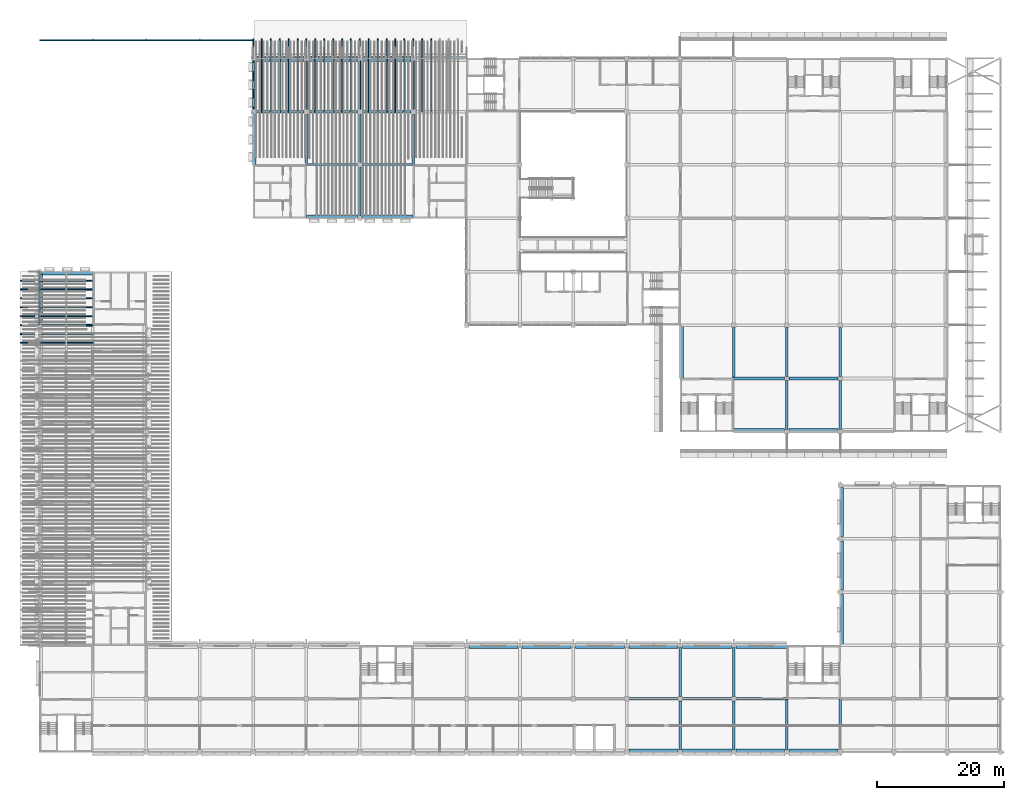
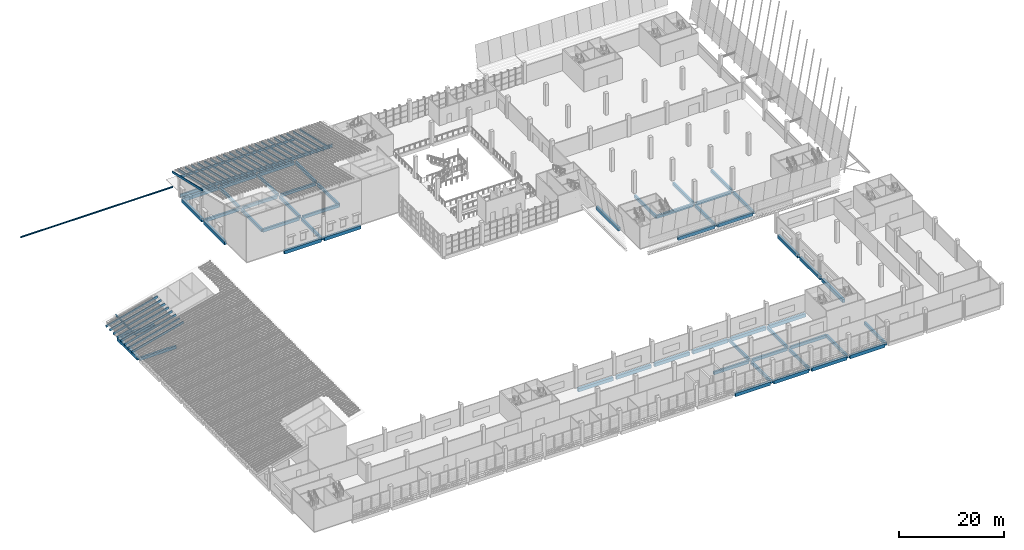
# One storey, part 4 of 82: 59 beams, 33 members.
"""IFC4 building model written with IfcOpenShell, lengths in metres."""

from ifc_helpers import new_model, si_unit, direction, frame, origin, origin_2d, place, context, subcontext, project, spatial, rectangle, i_section, extrude, material, material_profile, profile_set, type_object, element, save


model = new_model("IFC4")

# Units and contexts
model_context = context("Model", 3, precision=1e-05, world=origin(), true_north=direction((0.0, 1.0)))
body_context = subcontext(model_context, "Body", "Model", "MODEL_VIEW")
ifc_project = project(units=[si_unit("LENGTHUNIT", "METRE"), si_unit("AREAUNIT", "SQUARE_METRE"), si_unit("VOLUMEUNIT", "CUBIC_METRE"), si_unit("PLANEANGLEUNIT", "RADIAN"), si_unit("MASSUNIT", "GRAM", prefix="KILO")], contexts=[model_context])

# Site, building, storey
site_placement = place(None, origin())
site = spatial("IfcSite", under=ifc_project, at=site_placement, CompositionType="ELEMENT")
building_placement = place(site_placement, origin())
building = spatial("IfcBuilding", under=site, at=building_placement, Name="Almond Square Museum", CompositionType="ELEMENT")
storey_placement = place(building_placement, frame((0.0, 0.0, 20.0)))
storey = spatial("IfcBuildingStorey", under=building, at=storey_placement, Name="L03", CompositionType="ELEMENT", Elevation=20.0)

# Members
ifc_material_1 = material(Name="Glulam GL28h", Category="wood")
ifc_material_profile_1 = material_profile(ifc_material_1, rectangle(XDim=0.159912109375, YDim=0.5, at=origin_2d()))
ifc_profile_set_1 = profile_set([ifc_material_profile_1], Name="Glulam GL28h")
member_type_1 = type_object("IfcMemberType", Name="Glulam rafter GL28h 160x500", PredefinedType="RAFTER", material=ifc_profile_set_1)
for number, where, z_axis, x_axis, name in (
    (1, (39.60009765625, 100.800048828125, 6.64013671875), (0.0, 0.972804426364, -0.231628038127), (-1.0, 0.0, 0.0), "V4N rafter 3.1"),
    (2, (41.0, 100.800048828125, 6.64013671875), (0.0, 0.972804426364, -0.231628038127), (-1.0, 0.0, 0.0), "V4N rafter 3.2"),
    (3, (42.39990234375, 100.800048828125, 6.64013671875), (0.0, 0.972804426364, -0.231628038127), (-1.0, 0.0, 0.0), "V4N rafter 3.3"),
    (4, (43.800048828125, 100.800048828125, 6.64013671875), (0.0, 0.972804426364, -0.231628038127), (-1.0, 0.0, 0.0), "V4N rafter 3.4"),
    (5, (45.199951171875, 100.800048828125, 6.64013671875), (0.0, 0.972804426364, -0.231628038127), (-1.0, 0.0, 0.0), "V4N rafter 3.5"),
    (6, (46.60009765625, 100.800048828125, 6.64013671875), (0.0, 0.972804426364, -0.231628038127), (-1.0, 0.0, 0.0), "V4N rafter 3.6"),
    (7, (48.0, 100.800048828125, 6.64013671875), (0.0, 0.972804426364, -0.231628038127), (-1.0, 0.0, 0.0), "V4N rafter 3.7"),
    (8, (49.39990234375, 100.800048828125, 6.64013671875), (0.0, 0.972804426364, -0.231628038127), (-1.0, 0.0, 0.0), "V4N rafter 3.8"),
    (9, (50.800048828125, 100.800048828125, 6.64013671875), (0.0, 0.972804426364, -0.231628038127), (-1.0, 0.0, 0.0), "V4N rafter 3.9"),
    (10, (52.199951171875, 100.800048828125, 6.64013671875), (0.0, 0.972804426364, -0.231628038127), (-1.0, 0.0, 0.0), "V4N rafter 3.10"),
    (11, (53.60009765625, 100.800048828125, 6.64013671875), (0.0, 0.972804426364, -0.231628038127), (-1.0, 0.0, 0.0), "V4N rafter 3.11"),
    (12, (55.0, 100.800048828125, 6.64013671875), (0.0, 0.972804426364, -0.231628038127), (-1.0, 0.0, 0.0), "V4N rafter 3.12"),
    (13, (56.39990234375, 100.800048828125, 6.64013671875), (0.0, 0.972804426364, -0.231628038127), (-1.0, 0.0, 0.0), "V4N rafter 3.13"),
    (14, (57.800048828125, 100.800048828125, 6.64013671875), (0.0, 0.972804426364, -0.231628038127), (-1.0, 0.0, 0.0), "V4N rafter 3.14"),
    (15, (59.199951171875, 100.800048828125, 6.64013671875), (0.0, 0.972804426364, -0.231628038127), (-1.0, 0.0, 0.0), "V4N rafter 3.15"),
    (16, (60.60009765625, 100.800048828125, 6.64013671875), (0.0, 0.972804426364, -0.231628038127), (-1.0, 0.0, 0.0), "V4N rafter 3.16"),
    (17, (62.0, 100.800048828125, 6.64013671875), (0.0, 0.972804426364, -0.231628038127), (-1.0, 0.0, 0.0), "V4N rafter 3.17"),
    (18, (63.39990234375, 100.800048828125, 6.64013671875), (0.0, 0.972804426364, -0.231628038127), (-1.0, 0.0, 0.0), "V4N rafter 3.18"),
    (19, (64.800048828125, 100.800048828125, 6.64013671875), (0.0, 0.972804426364, -0.231628038127), (-1.0, 0.0, 0.0), "V4N rafter 3.19"),
    (20, (66.199951171875, 100.800048828125, 6.64013671875), (0.0, 0.972804426364, -0.231628038127), (-1.0, 0.0, 0.0), "V4N rafter 3.20"),
    (21, (67.60009765625, 100.800048828125, 6.64013671875), (0.0, 0.972804426364, -0.231628038127), (-1.0, 0.0, 0.0), "V4N rafter 3.21"),
):
    element("IfcMember", number, at=place(storey_placement, frame(where, z_axis=z_axis, x_axis=x_axis)), inside=storey, type_object=member_type_1, Name=name, PredefinedType="RAFTER", context=body_context, shape_type="SweptSolid", body=[
        extrude(rectangle(XDim=0.159912109375, YDim=0.5, at=origin_2d()), origin(), (0.0, 0.0, 1.0), 11.718505859375),
    ])
for number, where, z_axis, x_axis, name in (
    (22, (3.0, 64.39990234375, 3.8525390625), (0.967374157701, 0.0, 0.253352006136), (0.0, 1.0, 0.0), "V4W rafter 1.35"),
    (23, (3.0, 65.800048828125, 3.8525390625), (0.967374157701, 0.0, 0.253352006136), (0.0, 1.0, 0.0), "V4W rafter 1.36"),
    (24, (3.0, 67.199951171875, 3.8525390625), (0.967374157701, 0.0, 0.253352006136), (0.0, 1.0, 0.0), "V4W rafter 1.37"),
    (25, (3.0, 68.60009765625, 3.8525390625), (0.967374157701, 0.0, 0.253352006136), (0.0, 1.0, 0.0), "V4W rafter 1.38"),
    (26, (3.0, 70.0, 3.8525390625), (0.967374157701, 0.0, 0.253352006136), (0.0, 1.0, 0.0), "V4W rafter 1.39"),
    (27, (3.0, 71.39990234375, 3.8525390625), (0.967374157701, 0.0, 0.253352006136), (0.0, 1.0, 0.0), "V4W rafter 1.40"),
    (28, (3.0, 72.800048828125, 3.8525390625), (0.967374157701, 0.0, 0.253352006136), (0.0, 1.0, 0.0), "V4W rafter 1.41"),
    (29, (3.0, 74.199951171875, 3.8525390625), (0.967374157701, 0.0, 0.253352006136), (0.0, 1.0, 0.0), "V4W rafter 1.42"),
):
    element("IfcMember", number, at=place(storey_placement, frame(where, z_axis=z_axis, x_axis=x_axis)), inside=storey, type_object=member_type_1, Name=name, PredefinedType="RAFTER", context=body_context, shape_type="SweptSolid", body=[
        extrude(rectangle(XDim=0.159912109375, YDim=0.5, at=origin_2d()), origin(), (0.0, 0.0, 1.0), 11.784423828125),
    ])

# Beams
ifc_material_2 = material(Name="Concrete C40/50", Category="concrete")
ifc_material_profile_2 = material_profile(ifc_material_2, rectangle(XDim=0.39990234375, YDim=0.699951171875, at=origin_2d()))
ifc_profile_set_2 = profile_set([ifc_material_profile_2], Name="Concrete C40/50")
beam_type_1 = type_object("IfcBeamType", Name="RC beam 400 x 700 C40/50", PredefinedType="BEAM", material=ifc_profile_set_2)
beam_1_placement = place(storey_placement, frame((98.75, 8.39990234375, -0.60009765625), z_axis=(1.0, 0.0, 0.0), x_axis=(0.0, 1.0, 0.0)))
element("IfcBeam", 30, at=beam_1_placement, inside=storey, type_object=beam_type_1, Name="Beam B 13-14 L03", PredefinedType="BEAM", context=body_context, shape_type="SweptSolid", body=[
    extrude(rectangle(XDim=0.39990234375, YDim=0.699951171875, at=origin_2d()), origin(), (0.0, 0.0, 1.0), 7.699951171875),
])
beam_2_placement = place(storey_placement, frame((107.14990234375, 8.39990234375, -0.60009765625), z_axis=(1.0, 0.0, 0.0), x_axis=(0.0, 1.0, 0.0)))
element("IfcBeam", 31, at=beam_2_placement, inside=storey, type_object=beam_type_1, Name="Beam B 14-15 L03", PredefinedType="BEAM", context=body_context, shape_type="SweptSolid", body=[
    extrude(rectangle(XDim=0.39990234375, YDim=0.699951171875, at=origin_2d()), origin(), (0.0, 0.0, 1.0), 7.7001953125),
])
for number, where, z_axis, x_axis, name in (
    (32, (115.550048828125, 8.39990234375, -0.60009765625), (1.0, 0.0, 0.0), (0.0, 1.0, 0.0), "Beam B 15-16 L03"),
    (33, (115.199951171875, 58.800048828125, -0.60009765625), (1.0, 0.0, 0.0), (0.0, 1.0, 0.0), "Beam H 15-16 L03"),
):
    element("IfcBeam", number, at=place(storey_placement, frame(where, z_axis=z_axis, x_axis=x_axis)), inside=storey, type_object=beam_type_1, Name=name, PredefinedType="BEAM", context=body_context, shape_type="SweptSolid", body=[
        extrude(rectangle(XDim=0.39990234375, YDim=0.699951171875, at=origin_2d()), origin(), (0.0, 0.0, 1.0), 8.050048828125),
    ])
beam_3_placement = place(storey_placement, frame((123.949951171875, 58.800048828125, -0.60009765625), z_axis=(1.0, 0.0, 0.0), x_axis=(0.0, 1.0, 0.0)))
element("IfcBeam", 34, at=beam_3_placement, inside=storey, type_object=beam_type_1, Name="Beam H 16-17 L03", PredefinedType="BEAM", context=body_context, shape_type="SweptSolid", body=[
    extrude(rectangle(XDim=0.39990234375, YDim=0.699951171875, at=origin_2d()), origin(), (0.0, 0.0, 1.0), 7.699951171875),
])
beam_4_placement = place(storey_placement, frame((6.35009765625, 67.199951171875, -0.60009765625), z_axis=(1.0, 0.0, 0.0), x_axis=(0.0, 1.0, 0.0)))
element("IfcBeam", 35, at=beam_4_placement, inside=storey, type_object=beam_type_1, Name="Beam I 2-3 L03", PredefinedType="BEAM", context=body_context, shape_type="SweptSolid", body=[
    extrude(rectangle(XDim=0.39990234375, YDim=0.699951171875, at=origin_2d()), origin(), (0.0, 0.0, 1.0), 8.0498046875),
])
for number, where, z_axis, x_axis, name in (
    (36, (48.0, 92.39990234375, -0.60009765625), (1.0, 0.0, 0.0), (0.0, 1.0, 0.0), "Beam L 7-8 L03"),
    (37, (56.75, 92.39990234375, -0.60009765625), (1.0, 0.0, 0.0), (0.0, 1.0, 0.0), "Beam L 8-9 L03"),
):
    element("IfcBeam", number, at=place(storey_placement, frame(where, z_axis=z_axis, x_axis=x_axis)), inside=storey, type_object=beam_type_1, Name=name, PredefinedType="BEAM", context=body_context, shape_type="SweptSolid", body=[
        extrude(rectangle(XDim=0.39990234375, YDim=0.699951171875, at=origin_2d()), origin(), (0.0, 0.0, 1.0), 8.050048828125),
    ])
for number, where, z_axis, x_axis, name in (
    (38, (39.949951171875, 100.800048828125, -0.60009765625), (1.0, 0.0, 0.0), (0.0, 1.0, 0.0), "Beam M 6-7 L03"),
    (39, (48.35009765625, 100.800048828125, -0.60009765625), (1.0, 0.0, 0.0), (0.0, 1.0, 0.0), "Beam M 7-8 L03"),
    (40, (56.75, 100.800048828125, -0.60009765625), (1.0, 0.0, 0.0), (0.0, 1.0, 0.0), "Beam M 8-9 L03"),
):
    element("IfcBeam", number, at=place(storey_placement, frame(where, z_axis=z_axis, x_axis=x_axis)), inside=storey, type_object=beam_type_1, Name=name, PredefinedType="BEAM", context=body_context, shape_type="SweptSolid", body=[
        extrude(rectangle(XDim=0.39990234375, YDim=0.699951171875, at=origin_2d()), origin(), (0.0, 0.0, 1.0), 7.699951171875),
    ])
beam_5_placement = place(storey_placement, frame((48.0, 92.39990234375, -0.60009765625), z_axis=(0.0, 1.0, 0.0), x_axis=(-1.0, 0.0, 0.0)))
element("IfcBeam", 41, at=beam_5_placement, inside=storey, type_object=beam_type_1, Name="Beam 7 L-M L03", PredefinedType="BEAM", context=body_context, shape_type="SweptSolid", body=[
    extrude(rectangle(XDim=0.39990234375, YDim=0.699951171875, at=origin_2d()), origin(), (0.0, 0.0, 1.0), 8.050048828125),
])
beam_6_placement = place(storey_placement, frame((48.0, 101.14990234375, -0.60009765625), z_axis=(0.0, 1.0, 0.0), x_axis=(-1.0, 0.0, 0.0)))
element("IfcBeam", 42, at=beam_6_placement, inside=storey, type_object=beam_type_1, Name="Beam 7 M-N L03", PredefinedType="BEAM", context=body_context, shape_type="SweptSolid", body=[
    extrude(rectangle(XDim=0.39990234375, YDim=0.699951171875, at=origin_2d()), origin(), (0.0, 0.0, 1.0), 7.7001953125),
])
for number, where, z_axis, x_axis, name in (
    (43, (56.39990234375, 84.35009765625, -0.60009765625), (0.0, 1.0, 0.0), (-1.0, 0.0, 0.0), "Beam 8 K-L L03"),
    (44, (56.39990234375, 92.75, -0.60009765625), (0.0, 1.0, 0.0), (-1.0, 0.0, 0.0), "Beam 8 L-M L03"),
):
    element("IfcBeam", number, at=place(storey_placement, frame(where, z_axis=z_axis, x_axis=x_axis)), inside=storey, type_object=beam_type_1, Name=name, PredefinedType="BEAM", context=body_context, shape_type="SweptSolid", body=[
        extrude(rectangle(XDim=0.39990234375, YDim=0.699951171875, at=origin_2d()), origin(), (0.0, 0.0, 1.0), 7.699951171875),
    ])
beam_7_placement = place(storey_placement, frame((56.39990234375, 101.14990234375, -0.60009765625), z_axis=(0.0, 1.0, 0.0), x_axis=(-1.0, 0.0, 0.0)))
element("IfcBeam", 45, at=beam_7_placement, inside=storey, type_object=beam_type_1, Name="Beam 8 M-N L03", PredefinedType="BEAM", context=body_context, shape_type="SweptSolid", body=[
    extrude(rectangle(XDim=0.39990234375, YDim=0.699951171875, at=origin_2d()), origin(), (0.0, 0.0, 1.0), 7.7001953125),
])
beam_8_placement = place(storey_placement, frame((64.800048828125, 92.39990234375, -0.60009765625), z_axis=(0.0, 1.0, 0.0), x_axis=(-1.0, 0.0, 0.0)))
element("IfcBeam", 46, at=beam_8_placement, inside=storey, type_object=beam_type_1, Name="Beam 9 L-M L03", PredefinedType="BEAM", context=body_context, shape_type="SweptSolid", body=[
    extrude(rectangle(XDim=0.39990234375, YDim=0.699951171875, at=origin_2d()), origin(), (0.0, 0.0, 1.0), 8.050048828125),
])
beam_9_placement = place(storey_placement, frame((64.800048828125, 101.14990234375, -0.60009765625), z_axis=(0.0, 1.0, 0.0), x_axis=(-1.0, 0.0, 0.0)))
element("IfcBeam", 47, at=beam_9_placement, inside=storey, type_object=beam_type_1, Name="Beam 9 M-N L03", PredefinedType="BEAM", context=body_context, shape_type="SweptSolid", body=[
    extrude(rectangle(XDim=0.39990234375, YDim=0.699951171875, at=origin_2d()), origin(), (0.0, 0.0, 1.0), 7.7001953125),
])
for number, where, z_axis, x_axis, name in (
    (48, (106.800048828125, 0.35009765625, -0.60009765625), (0.0, 1.0, 0.0), (-1.0, 0.0, 0.0), "Beam 14 A-B L03"),
    (49, (106.800048828125, 8.75, -0.60009765625), (0.0, 1.0, 0.0), (-1.0, 0.0, 0.0), "Beam 14 B-C L03"),
    (50, (115.199951171875, 0.35009765625, -0.60009765625), (0.0, 1.0, 0.0), (-1.0, 0.0, 0.0), "Beam 15 A-B L03"),
    (51, (115.199951171875, 8.75, -0.60009765625), (0.0, 1.0, 0.0), (-1.0, 0.0, 0.0), "Beam 15 B-C L03"),
):
    element("IfcBeam", number, at=place(storey_placement, frame(where, z_axis=z_axis, x_axis=x_axis)), inside=storey, type_object=beam_type_1, Name=name, PredefinedType="BEAM", context=body_context, shape_type="SweptSolid", body=[
        extrude(rectangle(XDim=0.39990234375, YDim=0.699951171875, at=origin_2d()), origin(), (0.0, 0.0, 1.0), 7.699951171875),
    ])
beam_10_placement = place(storey_placement, frame((115.199951171875, 58.800048828125, -0.60009765625), z_axis=(0.0, 1.0, 0.0), x_axis=(-1.0, 0.0, 0.0)))
element("IfcBeam", 52, at=beam_10_placement, inside=storey, type_object=beam_type_1, Name="Beam 15 H-I L03", PredefinedType="BEAM", context=body_context, shape_type="SweptSolid", body=[
    extrude(rectangle(XDim=0.39990234375, YDim=0.699951171875, at=origin_2d()), origin(), (0.0, 0.0, 1.0), 8.050048828125),
])
beam_11_placement = place(storey_placement, frame((123.60009765625, 0.35009765625, -0.60009765625), z_axis=(0.0, 1.0, 0.0), x_axis=(-1.0, 0.0, 0.0)))
element("IfcBeam", 53, at=beam_11_placement, inside=storey, type_object=beam_type_1, Name="Beam 16 A-B L03", PredefinedType="BEAM", context=body_context, shape_type="SweptSolid", body=[
    extrude(rectangle(XDim=0.39990234375, YDim=0.699951171875, at=origin_2d()), origin(), (0.0, 0.0, 1.0), 8.0498046875),
])
beam_12_placement = place(storey_placement, frame((123.60009765625, 50.75, -0.60009765625), z_axis=(0.0, 1.0, 0.0), x_axis=(-1.0, 0.0, 0.0)))
element("IfcBeam", 54, at=beam_12_placement, inside=storey, type_object=beam_type_1, Name="Beam 16 G-H L03", PredefinedType="BEAM", context=body_context, shape_type="SweptSolid", body=[
    extrude(rectangle(XDim=0.39990234375, YDim=0.699951171875, at=origin_2d()), origin(), (0.0, 0.0, 1.0), 7.699951171875),
])
beam_13_placement = place(storey_placement, frame((123.60009765625, 59.14990234375, -0.60009765625), z_axis=(0.0, 1.0, 0.0), x_axis=(-1.0, 0.0, 0.0)))
element("IfcBeam", 55, at=beam_13_placement, inside=storey, type_object=beam_type_1, Name="Beam 16 H-I L03", PredefinedType="BEAM", context=body_context, shape_type="SweptSolid", body=[
    extrude(rectangle(XDim=0.39990234375, YDim=0.699951171875, at=origin_2d()), origin(), (0.0, 0.0, 1.0), 7.7001953125),
])
beam_14_placement = place(storey_placement, frame((132.0, 0.35009765625, -0.60009765625), z_axis=(0.0, 1.0, 0.0), x_axis=(-1.0, 0.0, 0.0)))
element("IfcBeam", 56, at=beam_14_placement, inside=storey, type_object=beam_type_1, Name="Beam 17 A-B L03", PredefinedType="BEAM", context=body_context, shape_type="SweptSolid", body=[
    extrude(rectangle(XDim=0.39990234375, YDim=0.699951171875, at=origin_2d()), origin(), (0.0, 0.0, 1.0), 8.0498046875),
])
beam_15_placement = place(storey_placement, frame((132.0, 50.75, -0.60009765625), z_axis=(0.0, 1.0, 0.0), x_axis=(-1.0, 0.0, 0.0)))
element("IfcBeam", 57, at=beam_15_placement, inside=storey, type_object=beam_type_1, Name="Beam 17 G-H L03", PredefinedType="BEAM", context=body_context, shape_type="SweptSolid", body=[
    extrude(rectangle(XDim=0.39990234375, YDim=0.699951171875, at=origin_2d()), origin(), (0.0, 0.0, 1.0), 7.699951171875),
])
beam_16_placement = place(storey_placement, frame((132.0, 59.14990234375, -0.60009765625), z_axis=(0.0, 1.0, 0.0), x_axis=(-1.0, 0.0, 0.0)))
element("IfcBeam", 58, at=beam_16_placement, inside=storey, type_object=beam_type_1, Name="Beam 17 H-I L03", PredefinedType="BEAM", context=body_context, shape_type="SweptSolid", body=[
    extrude(rectangle(XDim=0.39990234375, YDim=0.699951171875, at=origin_2d()), origin(), (0.0, 0.0, 1.0), 7.7001953125),
])
ifc_material_3 = material(Name="Concrete C40/50", Category="concrete")
ifc_material_profile_3 = material_profile(ifc_material_3, rectangle(XDim=0.5, YDim=0.800048828125, at=origin_2d()))
ifc_profile_set_3 = profile_set([ifc_material_profile_3], Name="Concrete C40/50")
beam_type_2 = type_object("IfcBeamType", Name="RC edge beam 500 x 800 C40/50", PredefinedType="BEAM", material=ifc_profile_set_3)
beam_17_placement = place(storey_placement, frame((98.75, 0.25, -0.64990234375), z_axis=(1.0, 0.0, 0.0), x_axis=(0.0, 1.0, 0.0)))
element("IfcBeam", 59, at=beam_17_placement, inside=storey, type_object=beam_type_2, Name="Edge beam A 13-14 L03", PredefinedType="BEAM", context=body_context, shape_type="SweptSolid", body=[
    extrude(rectangle(XDim=0.5, YDim=0.800048828125, at=origin_2d()), origin(), (0.0, 0.0, 1.0), 7.699951171875),
])
beam_18_placement = place(storey_placement, frame((107.14990234375, 0.25, -0.64990234375), z_axis=(1.0, 0.0, 0.0), x_axis=(0.0, 1.0, 0.0)))
element("IfcBeam", 60, at=beam_18_placement, inside=storey, type_object=beam_type_2, Name="Edge beam A 14-15 L03", PredefinedType="BEAM", context=body_context, shape_type="SweptSolid", body=[
    extrude(rectangle(XDim=0.5, YDim=0.800048828125, at=origin_2d()), origin(), (0.0, 0.0, 1.0), 7.7001953125),
])
for number, where, z_axis, x_axis, name in (
    (61, (115.550048828125, 0.25, -0.64990234375), (1.0, 0.0, 0.0), (0.0, 1.0, 0.0), "Edge beam A 15-16 L03"),
    (62, (123.949951171875, 0.25, -0.64990234375), (1.0, 0.0, 0.0), (0.0, 1.0, 0.0), "Edge beam A 16-17 L03"),
    (63, (73.550048828125, 16.550048828125, -0.64990234375), (1.0, 0.0, 0.0), (0.0, 1.0, 0.0), "Edge beam C 10-11 L03"),
    (64, (81.949951171875, 16.550048828125, -0.64990234375), (1.0, 0.0, 0.0), (0.0, 1.0, 0.0), "Edge beam C 11-12 L03"),
    (65, (90.35009765625, 16.550048828125, -0.64990234375), (1.0, 0.0, 0.0), (0.0, 1.0, 0.0), "Edge beam C 12-13 L03"),
    (66, (98.75, 16.550048828125, -0.64990234375), (1.0, 0.0, 0.0), (0.0, 1.0, 0.0), "Edge beam C 13-14 L03"),
):
    element("IfcBeam", number, at=place(storey_placement, frame(where, z_axis=z_axis, x_axis=x_axis)), inside=storey, type_object=beam_type_2, Name=name, PredefinedType="BEAM", context=body_context, shape_type="SweptSolid", body=[
        extrude(rectangle(XDim=0.5, YDim=0.800048828125, at=origin_2d()), origin(), (0.0, 0.0, 1.0), 7.699951171875),
    ])
beam_19_placement = place(storey_placement, frame((107.14990234375, 16.550048828125, -0.64990234375), z_axis=(1.0, 0.0, 0.0), x_axis=(0.0, 1.0, 0.0)))
element("IfcBeam", 67, at=beam_19_placement, inside=storey, type_object=beam_type_2, Name="Edge beam C 14-15 L03", PredefinedType="BEAM", context=body_context, shape_type="SweptSolid", body=[
    extrude(rectangle(XDim=0.5, YDim=0.800048828125, at=origin_2d()), origin(), (0.0, 0.0, 1.0), 7.7001953125),
])
for number, where, z_axis, x_axis, name in (
    (68, (115.550048828125, 16.550048828125, -0.64990234375), (1.0, 0.0, 0.0), (0.0, 1.0, 0.0), "Edge beam C 15-16 L03"),
    (69, (115.199951171875, 50.64990234375, -0.64990234375), (1.0, 0.0, 0.0), (0.0, 1.0, 0.0), "Edge beam G 15-16 L03"),
):
    element("IfcBeam", number, at=place(storey_placement, frame(where, z_axis=z_axis, x_axis=x_axis)), inside=storey, type_object=beam_type_2, Name=name, PredefinedType="BEAM", context=body_context, shape_type="SweptSolid", body=[
        extrude(rectangle(XDim=0.5, YDim=0.800048828125, at=origin_2d()), origin(), (0.0, 0.0, 1.0), 8.050048828125),
    ])
beam_20_placement = place(storey_placement, frame((123.949951171875, 50.64990234375, -0.64990234375), z_axis=(1.0, 0.0, 0.0), x_axis=(0.0, 1.0, 0.0)))
element("IfcBeam", 70, at=beam_20_placement, inside=storey, type_object=beam_type_2, Name="Edge beam G 16-17 L03", PredefinedType="BEAM", context=body_context, shape_type="SweptSolid", body=[
    extrude(rectangle(XDim=0.5, YDim=0.800048828125, at=origin_2d()), origin(), (0.0, 0.0, 1.0), 7.699951171875),
])
beam_21_placement = place(storey_placement, frame((6.35009765625, 75.35009765625, -0.64990234375), z_axis=(1.0, 0.0, 0.0), x_axis=(0.0, 1.0, 0.0)))
element("IfcBeam", 71, at=beam_21_placement, inside=storey, type_object=beam_type_2, Name="Edge beam J 2-3 L03", PredefinedType="BEAM", context=body_context, shape_type="SweptSolid", body=[
    extrude(rectangle(XDim=0.5, YDim=0.800048828125, at=origin_2d()), origin(), (0.0, 0.0, 1.0), 8.0498046875),
])
for number, where, z_axis, x_axis, name in (
    (72, (48.0, 84.25, -0.64990234375), (1.0, 0.0, 0.0), (0.0, 1.0, 0.0), "Edge beam K 7-8 L03"),
    (73, (56.75, 84.25, -0.64990234375), (1.0, 0.0, 0.0), (0.0, 1.0, 0.0), "Edge beam K 8-9 L03"),
):
    element("IfcBeam", number, at=place(storey_placement, frame(where, z_axis=z_axis, x_axis=x_axis)), inside=storey, type_object=beam_type_2, Name=name, PredefinedType="BEAM", context=body_context, shape_type="SweptSolid", body=[
        extrude(rectangle(XDim=0.5, YDim=0.800048828125, at=origin_2d()), origin(), (0.0, 0.0, 1.0), 8.050048828125),
    ])
for number, where, z_axis, x_axis, name in (
    (74, (39.949951171875, 108.949951171875, -0.64990234375), (1.0, 0.0, 0.0), (0.0, 1.0, 0.0), "Edge beam N 6-7 L03"),
    (75, (48.35009765625, 108.949951171875, -0.64990234375), (1.0, 0.0, 0.0), (0.0, 1.0, 0.0), "Edge beam N 7-8 L03"),
    (76, (56.75, 108.949951171875, -0.64990234375), (1.0, 0.0, 0.0), (0.0, 1.0, 0.0), "Edge beam N 8-9 L03"),
    (77, (6.25, 67.550048828125, -0.64990234375), (0.0, 1.0, 0.0), (-1.0, 0.0, 0.0), "Edge beam 2 I-J L03"),
):
    element("IfcBeam", number, at=place(storey_placement, frame(where, z_axis=z_axis, x_axis=x_axis)), inside=storey, type_object=beam_type_2, Name=name, PredefinedType="BEAM", context=body_context, shape_type="SweptSolid", body=[
        extrude(rectangle(XDim=0.5, YDim=0.800048828125, at=origin_2d()), origin(), (0.0, 0.0, 1.0), 7.699951171875),
    ])
beam_22_placement = place(storey_placement, frame((39.85009765625, 92.39990234375, -0.64990234375), z_axis=(0.0, 1.0, 0.0), x_axis=(-1.0, 0.0, 0.0)))
element("IfcBeam", 78, at=beam_22_placement, inside=storey, type_object=beam_type_2, Name="Edge beam 6 L-M L03", PredefinedType="BEAM", context=body_context, shape_type="SweptSolid", body=[
    extrude(rectangle(XDim=0.5, YDim=0.800048828125, at=origin_2d()), origin(), (0.0, 0.0, 1.0), 8.050048828125),
])
beam_23_placement = place(storey_placement, frame((39.85009765625, 101.14990234375, -0.64990234375), z_axis=(0.0, 1.0, 0.0), x_axis=(-1.0, 0.0, 0.0)))
element("IfcBeam", 79, at=beam_23_placement, inside=storey, type_object=beam_type_2, Name="Edge beam 6 M-N L03", PredefinedType="BEAM", context=body_context, shape_type="SweptSolid", body=[
    extrude(rectangle(XDim=0.5, YDim=0.800048828125, at=origin_2d()), origin(), (0.0, 0.0, 1.0), 7.7001953125),
])
beam_24_placement = place(storey_placement, frame((107.050048828125, 58.800048828125, -0.64990234375), z_axis=(0.0, 1.0, 0.0), x_axis=(-1.0, 0.0, 0.0)))
element("IfcBeam", 80, at=beam_24_placement, inside=storey, type_object=beam_type_2, Name="Edge beam 14 H-I L03", PredefinedType="BEAM", context=body_context, shape_type="SweptSolid", body=[
    extrude(rectangle(XDim=0.5, YDim=0.800048828125, at=origin_2d()), origin(), (0.0, 0.0, 1.0), 8.39990234375),
])
beam_25_placement = place(storey_placement, frame((132.25, 16.800048828125, -0.64990234375), z_axis=(0.0, 1.0, 0.0), x_axis=(-1.0, 0.0, 0.0)))
element("IfcBeam", 81, at=beam_25_placement, inside=storey, type_object=beam_type_2, Name="Edge beam 17 C-D L03", PredefinedType="BEAM", context=body_context, shape_type="SweptSolid", body=[
    extrude(rectangle(XDim=0.5, YDim=0.800048828125, at=origin_2d()), origin(), (0.0, 0.0, 1.0), 8.050048828125),
])
for number, where, z_axis, x_axis, name in (
    (82, (132.25, 25.550048828125, -0.64990234375), (0.0, 1.0, 0.0), (-1.0, 0.0, 0.0), "Edge beam 17 D-E L03"),
    (83, (132.25, 33.949951171875, -0.64990234375), (0.0, 1.0, 0.0), (-1.0, 0.0, 0.0), "Edge beam 17 E-F L03"),
):
    element("IfcBeam", number, at=place(storey_placement, frame(where, z_axis=z_axis, x_axis=x_axis)), inside=storey, type_object=beam_type_2, Name=name, PredefinedType="BEAM", context=body_context, shape_type="SweptSolid", body=[
        extrude(rectangle(XDim=0.5, YDim=0.800048828125, at=origin_2d()), origin(), (0.0, 0.0, 1.0), 7.699951171875),
    ])
ifc_material_4 = material(Name="Structural steel S355", Category="steel")
ifc_material_profile_4 = material_profile(ifc_material_4, i_section(OverallWidth=0.208984375, OverallDepth=0.532958984375, WebThickness=0.01025390625, FlangeThickness=0.015625, at=origin_2d()))
ifc_profile_set_4 = profile_set([ifc_material_profile_4], Name="Structural steel S355")
beam_type_3 = type_object("IfcBeamType", Name="Roof beam W530x92", PredefinedType="BEAM", material=ifc_profile_set_4)
for number, where, z_axis, x_axis, name in (
    (84, (39.60009765625, 109.199951171875, 4.623291015625), (1.0, 0.0, 0.0), (0.0, 0.972806205605, -0.231620565444), "V4N roof beam 4.1"),
    (85, (48.0, 109.199951171875, 4.623291015625), (1.0, 0.0, 0.0), (0.0, 0.972806205605, -0.231620565444), "V4N roof beam 4.2"),
):
    element("IfcBeam", number, at=place(storey_placement, frame(where, z_axis=z_axis, x_axis=x_axis)), inside=storey, type_object=beam_type_3, Name=name, PredefinedType="BEAM", context=body_context, shape_type="SweptSolid", body=[
        extrude(i_section(OverallWidth=0.208984375, OverallDepth=0.532958984375, WebThickness=0.01025390625, FlangeThickness=0.015625, at=origin_2d()), origin(), (0.0, 0.0, 1.0), 8.39990234375),
    ])
for number, where, z_axis, x_axis, name in (
    (86, (56.39990234375, 109.199951171875, 4.623291015625), (1.0, 0.0, 0.0), (0.0, 0.972806205605, -0.231620565444), "V4N roof beam 4.3"),
    (87, (6.0, 67.199951171875, 4.62109375), (0.0, 1.0, 0.0), (-0.967372193034, 0.0, -0.253359507704), "V4W roof beam 1.7"),
):
    element("IfcBeam", number, at=place(storey_placement, frame(where, z_axis=z_axis, x_axis=x_axis)), inside=storey, type_object=beam_type_3, Name=name, PredefinedType="BEAM", context=body_context, shape_type="SweptSolid", body=[
        extrude(i_section(OverallWidth=0.208984375, OverallDepth=0.532958984375, WebThickness=0.01025390625, FlangeThickness=0.015625, at=origin_2d()), origin(), (0.0, 0.0, 1.0), 8.400146484375),
    ])
ifc_material_5 = material(Name="Structural steel S355", Category="steel")
ifc_material_profile_5 = material_profile(ifc_material_5, i_section(OverallWidth=0.26708984375, OverallDepth=0.75390625, WebThickness=0.01318359375, FlangeThickness=0.01708984375, at=origin_2d()))
ifc_profile_set_5 = profile_set([ifc_material_profile_5], Name="Structural steel S355")
beam_type_4 = type_object("IfcBeamType", Name="Roof beam W760x147", PredefinedType="BEAM", material=ifc_profile_set_5)
beam_26_placement = place(storey_placement, frame((39.60009765625, 109.35009765625, 0.114990234375), z_axis=(1.0, 0.0, 0.0), x_axis=(0.0, 0.998752343433, -0.049937525845)))
element("IfcBeam", 88, at=beam_26_placement, inside=storey, type_object=beam_type_4, Name="Box roof beam S", PredefinedType="BEAM", context=body_context, shape_type="SweptSolid", body=[
    extrude(i_section(OverallWidth=0.26708984375, OverallDepth=0.75390625, WebThickness=0.01318359375, FlangeThickness=0.01708984375, at=origin_2d()), origin(), (0.0, 0.0, 1.0), 33.599853515625),
])

# Members
ifc_material_6 = material(Name="Structural steel S355", Category="steel")
ifc_material_profile_6 = material_profile(ifc_material_6, i_section(OverallWidth=0.1708984375, OverallDepth=0.35595703125, WebThickness=0.00732421875, FlangeThickness=0.01171875, at=origin_2d()))
ifc_profile_set_6 = profile_set([ifc_material_profile_6], Name="Structural steel S355")
member_type_2 = type_object("IfcMemberType", Name="Steel purlin W360x51", PredefinedType="PURLIN", material=ifc_profile_set_6)
member_1_placement = place(storey_placement, frame((6.0, 112.0, 0.62158203125), z_axis=(1.0, 0.0, 0.0), x_axis=(0.0, 0.969459905022, 0.245249857402)))
element("IfcMember", 89, at=member_1_placement, inside=storey, type_object=member_type_2, Name="Auditorium north eave purlin 1", PredefinedType="PURLIN", context=body_context, shape_type="SweptSolid", body=[
    extrude(i_section(OverallWidth=0.1708984375, OverallDepth=0.35595703125, WebThickness=0.00732421875, FlangeThickness=0.01171875, at=origin_2d()), origin(), (0.0, 0.0, 1.0), 8.39990234375),
])
member_2_placement = place(storey_placement, frame((14.39990234375, 112.0, 0.62158203125), z_axis=(1.0, 0.0, 0.0), x_axis=(0.0, 0.969459905022, 0.245249857402)))
element("IfcMember", 90, at=member_2_placement, inside=storey, type_object=member_type_2, Name="Auditorium north eave purlin 2", PredefinedType="PURLIN", context=body_context, shape_type="SweptSolid", body=[
    extrude(i_section(OverallWidth=0.1708984375, OverallDepth=0.35595703125, WebThickness=0.00732421875, FlangeThickness=0.01171875, at=origin_2d()), origin(), (0.0, 0.0, 1.0), 8.400146484375),
])
member_3_placement = place(storey_placement, frame((22.800048828125, 112.0, 0.62158203125), z_axis=(1.0, 0.0, 0.0), x_axis=(0.0, 0.969459905022, 0.245249857402)))
element("IfcMember", 91, at=member_3_placement, inside=storey, type_object=member_type_2, Name="Auditorium north eave purlin 3", PredefinedType="PURLIN", context=body_context, shape_type="SweptSolid", body=[
    extrude(i_section(OverallWidth=0.1708984375, OverallDepth=0.35595703125, WebThickness=0.00732421875, FlangeThickness=0.01171875, at=origin_2d()), origin(), (0.0, 0.0, 1.0), 8.39990234375),
])
member_4_placement = place(storey_placement, frame((31.199951171875, 112.0, 0.62158203125), z_axis=(1.0, 0.0, 0.0), x_axis=(0.0, 0.969459905022, 0.245249857402)))
element("IfcMember", 92, at=member_4_placement, inside=storey, type_object=member_type_2, Name="Auditorium north eave purlin 4", PredefinedType="PURLIN", context=body_context, shape_type="SweptSolid", body=[
    extrude(i_section(OverallWidth=0.1708984375, OverallDepth=0.35595703125, WebThickness=0.00732421875, FlangeThickness=0.01171875, at=origin_2d()), origin(), (0.0, 0.0, 1.0), 8.400146484375),
])

save(model, "model.ifc")
